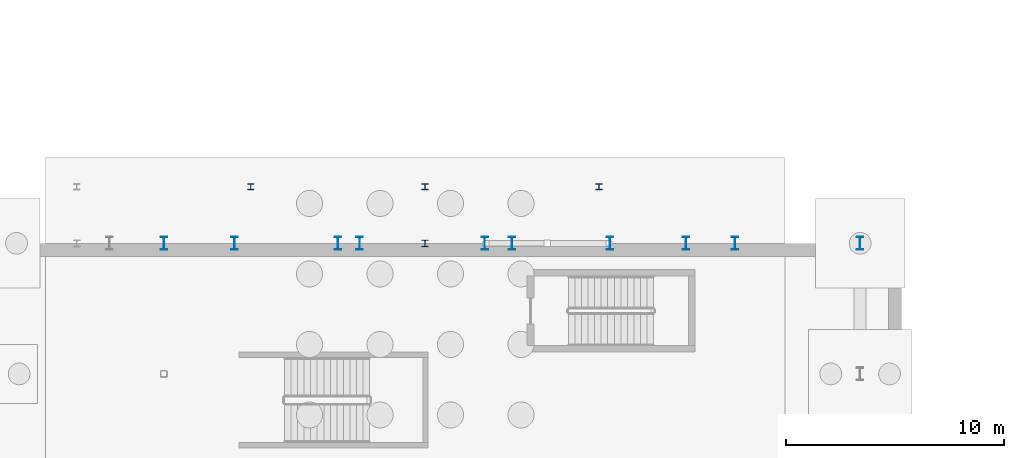
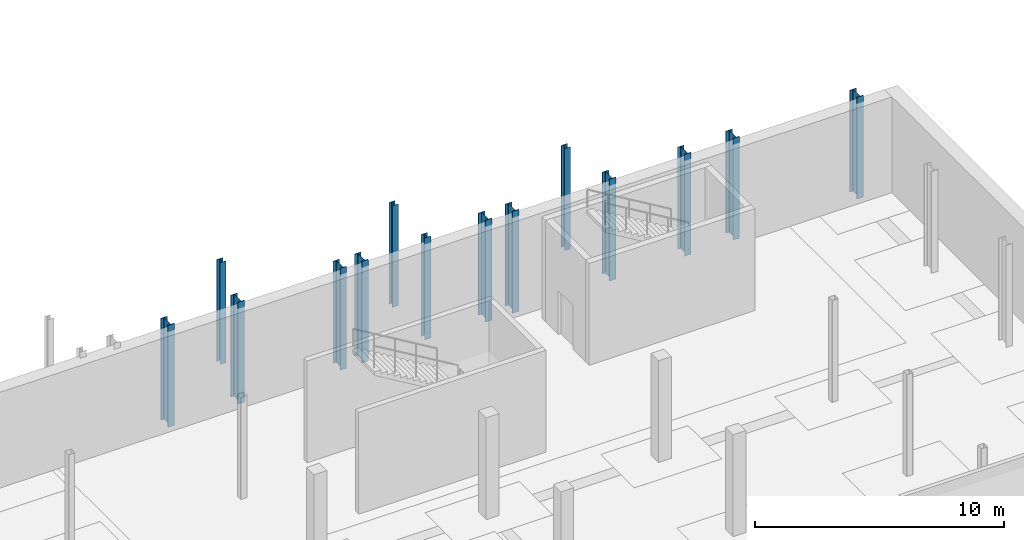
# One storey, part 12 of 47: 14 columns.
"""IFC4 building model written with IfcOpenShell, lengths in metres."""

from ifc_helpers import new_model, si_unit, direction, frame, origin, origin_2d, place, context, subcontext, project, spatial, i_section, extrude, material, material_profile, profile_set, type_object, element, save


model = new_model("IFC4")

# Units and contexts
model_context = context("Model", 3, precision=1e-05, world=origin(), true_north=direction((0.0, 1.0)))
body_context = subcontext(model_context, "Body", "Model", "MODEL_VIEW")
ifc_project = project(units=[si_unit("LENGTHUNIT", "METRE"), si_unit("AREAUNIT", "SQUARE_METRE"), si_unit("VOLUMEUNIT", "CUBIC_METRE"), si_unit("PLANEANGLEUNIT", "RADIAN"), si_unit("MASSUNIT", "GRAM", prefix="KILO")], contexts=[model_context])

# Site, building, storey
site_placement = place(None, origin())
site = spatial("IfcSite", under=ifc_project, at=site_placement, CompositionType="ELEMENT")
building_placement = place(site_placement, origin())
building = spatial("IfcBuilding", under=site, at=building_placement, Name="Cymarion Research Institute", CompositionType="ELEMENT")
storey_placement = place(building_placement, frame((0.0, 0.0, -5.0)))
storey = spatial("IfcBuildingStorey", under=building, at=storey_placement, Name="B1", CompositionType="ELEMENT", Elevation=-5.0)

# Columns
ifc_material = material(Name="Steel S355", Category="steel")
ifc_material_profile_1 = material_profile(ifc_material, i_section(OverallWidth=0.300048828125, OverallDepth=0.60009765625, WebThickness=0.015380859375, FlangeThickness=0.030029296875, FilletRadius=0.027099609375, at=origin_2d()), Name="HEB 600")
ifc_profile_set_1 = profile_set([ifc_material_profile_1], Name="Steel S355")
column_type_1 = type_object("IfcColumnType", Name="STRUCTURAL COLUMN C02 HEB 600", PredefinedType="COLUMN", material=ifc_profile_set_1)
for number, where, z_axis, x_axis, name in (
    (1, (70.60009765625, 41.5, 0.0), (0.0, 0.0, 1.0), (1.0, 0.0, 0.0), "B1 V2 column C02 #141"),
    (2, (73.85009765625, 41.5, 0.0), (0.0, 0.0, 1.0), (1.0, 0.0, 0.0), "B1 V2 column C02 #143"),
    (3, (78.60009765625, 41.5, 0.0), (0.0, 0.0, 1.0), (1.0, 0.0, 0.0), "B1 V2 column C02 #150"),
    (4, (79.60009765625, 41.5, 0.0), (0.0, 0.0, 1.0), (1.0, 0.0, 0.0), "B1 V2 column C02 #152"),
    (5, (85.35009765625, 41.5, 0.0), (0.0, 0.0, 1.0), (1.0, 0.0, 0.0), "B1 V2 column C02 #157"),
    (6, (86.60009765625, 41.5, 0.0), (0.0, 0.0, 1.0), (1.0, 0.0, 0.0), "B1 V2 column C02 #163"),
    (7, (91.10009765625, 41.5, 0.0), (0.0, 0.0, 1.0), (1.0, 0.0, 0.0), "B1 V2 column C02 #166"),
    (8, (94.60009765625, 41.5, 0.0), (0.0, 0.0, 1.0), (1.0, 0.0, 0.0), "B1 V2 column C02 #172"),
    (9, (96.85009765625, 41.5, 0.0), (0.0, 0.0, 1.0), (1.0, 0.0, 0.0), "B1 V2 column C02 #174"),
    (10, (102.60009765625, 41.5, 0.0), (0.0, 0.0, 1.0), (1.0, 0.0, 0.0), "B1 V2 column C02 #181"),
):
    element("IfcColumn", number, at=place(storey_placement, frame(where, z_axis=z_axis, x_axis=x_axis)), inside=storey, type_object=column_type_1, Name=name, PredefinedType="COLUMN", context=body_context, shape_type="SweptSolid", body=[
        extrude(i_section(OverallWidth=0.300048828125, OverallDepth=0.60009765625, WebThickness=0.015380859375, FlangeThickness=0.030029296875, FilletRadius=0.027099609375, at=origin_2d()), origin(), (0.0, 0.0, 1.0), 5.0),
    ])
ifc_material_profile_2 = material_profile(ifc_material, i_section(OverallWidth=0.300048828125, OverallDepth=0.300048828125, WebThickness=0.010986328125, FlangeThickness=0.01904296875, FilletRadius=0.027099609375, at=origin_2d()), Name="HEB 300")
ifc_profile_set_2 = profile_set([ifc_material_profile_2], Name="Steel S355")
column_type_2 = type_object("IfcColumnType", Name="STRUCTURAL COLUMN C08 HEB 300", PredefinedType="COLUMN", material=ifc_profile_set_2)
column_placement = place(storey_placement, frame((82.60009765625, 41.5, 0.0), z_axis=(0.0, 0.0, 1.0), x_axis=(1.0, 0.0, 0.0)))
element("IfcColumn", 11, at=column_placement, inside=storey, type_object=column_type_2, Name="B1 V2 column C08 #154", PredefinedType="COLUMN", context=body_context, shape_type="SweptSolid", body=[
    extrude(i_section(OverallWidth=0.300048828125, OverallDepth=0.300048828125, WebThickness=0.010986328125, FlangeThickness=0.01904296875, FilletRadius=0.027099609375, at=origin_2d()), origin(), (0.0, 0.0, 1.0), 5.0),
])
ifc_material_profile_3 = material_profile(ifc_material, i_section(OverallWidth=0.280029296875, OverallDepth=0.280029296875, WebThickness=0.010498046875, FlangeThickness=0.01806640625, FilletRadius=0.02392578125, at=origin_2d()), Name="HEB 280")
ifc_profile_set_3 = profile_set([ifc_material_profile_3], Name="Steel S355")
column_type_3 = type_object("IfcColumnType", Name="STRUCTURAL COLUMN C09 HEB 280", PredefinedType="COLUMN", material=ifc_profile_set_3)
for number, where, z_axis, x_axis, name in (
    (12, (74.60009765625, 44.10009765625, 0.0), (0.0, 0.0, 1.0), (1.0, 0.0, 0.0), "B1 V2 column C09 #144"),
    (13, (82.60009765625, 44.10009765625, 0.0), (0.0, 0.0, 1.0), (1.0, 0.0, 0.0), "B1 V2 column C09 #155"),
    (14, (90.60009765625, 44.10009765625, 0.0), (0.0, 0.0, 1.0), (1.0, 0.0, 0.0), "B1 V2 column C09 #164"),
):
    element("IfcColumn", number, at=place(storey_placement, frame(where, z_axis=z_axis, x_axis=x_axis)), inside=storey, type_object=column_type_3, Name=name, PredefinedType="COLUMN", context=body_context, shape_type="SweptSolid", body=[
        extrude(i_section(OverallWidth=0.280029296875, OverallDepth=0.280029296875, WebThickness=0.010498046875, FlangeThickness=0.01806640625, FilletRadius=0.02392578125, at=origin_2d()), origin(), (0.0, 0.0, 1.0), 5.0),
    ])

save(model, "model.ifc")
